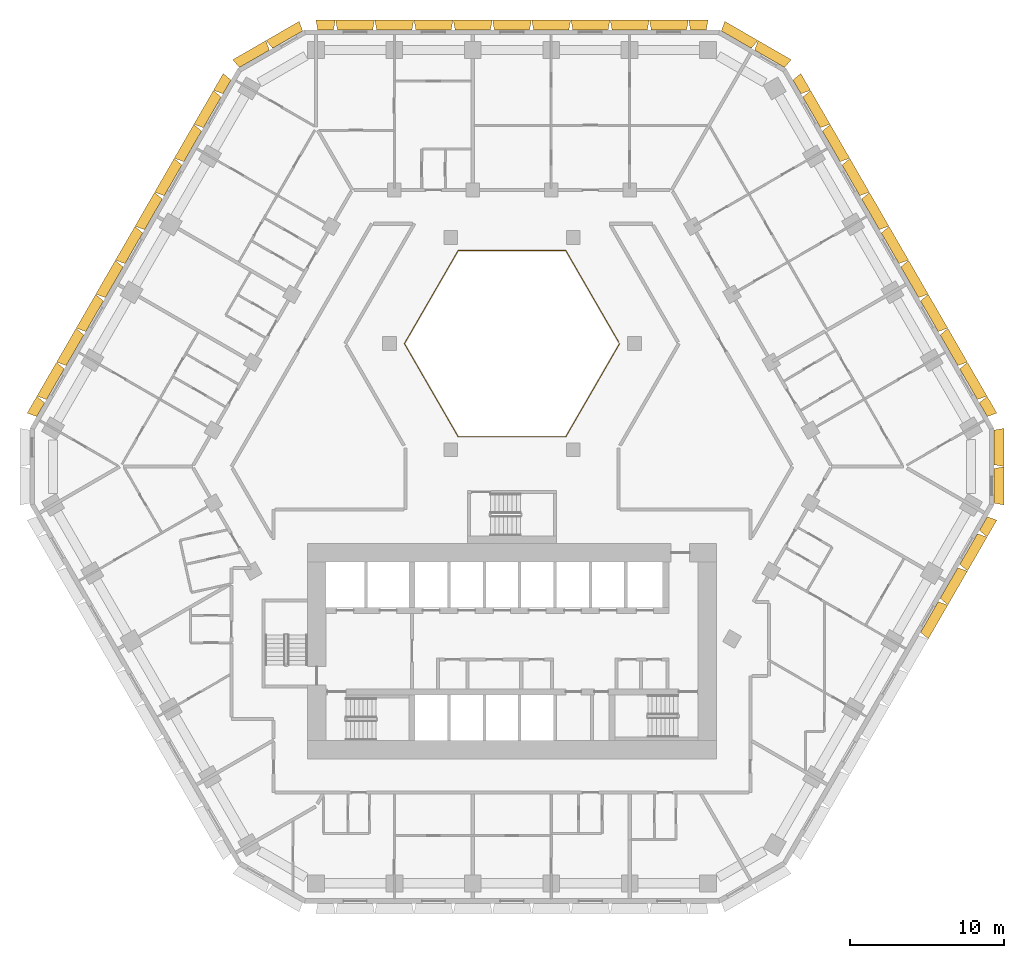
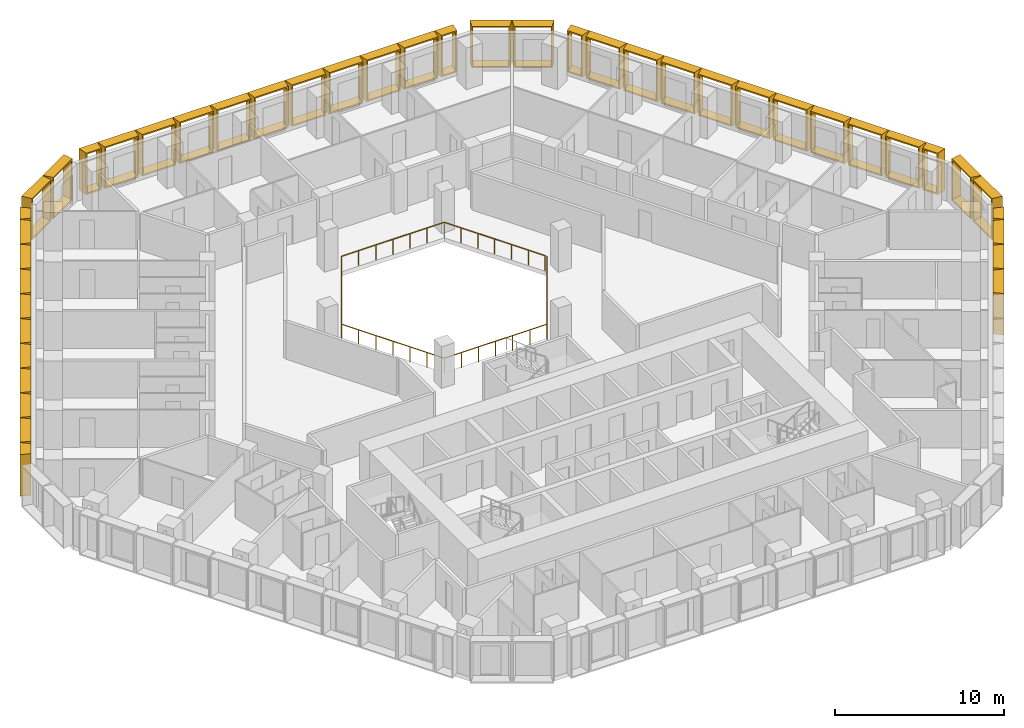
# One storey, part 16 of 16: 43 shading devices, 1 railing.
"""IFC4 building model written with IfcOpenShell, lengths in metres."""

from ifc_helpers import new_model, entity, si_unit, direction, frame, origin, origin_2d, place, context, subcontext, project, spatial, rectangle, extrude, source, transform, mapped, material, type_object, type_shapes, element, save


model = new_model("IFC4")

# Units and contexts
model_context = context("Model", 3, precision=1e-05, world=origin(), true_north=direction((0.0, 1.0)))
body_context = subcontext(model_context, "Body", "Model", "MODEL_VIEW")
ifc_project = project(units=[si_unit("LENGTHUNIT", "METRE"), si_unit("AREAUNIT", "SQUARE_METRE"), si_unit("VOLUMEUNIT", "CUBIC_METRE"), si_unit("PLANEANGLEUNIT", "RADIAN"), si_unit("MASSUNIT", "GRAM", prefix="KILO")], contexts=[model_context])

# Site, building, storey
site_placement = place(None, origin())
site = spatial("IfcSite", under=ifc_project, at=site_placement, CompositionType="ELEMENT")
building_placement = place(site_placement, origin())
building = spatial("IfcBuilding", under=site, at=building_placement, Name="Beryl Residences", CompositionType="ELEMENT")
storey_placement = place(building_placement, frame((0.0, 0.0, 56.39990234375)))
storey = spatial("IfcBuildingStorey", under=building, at=storey_placement, Name="L17", CompositionType="ELEMENT", Elevation=56.39990234375)

# Railing
ifc_material_1 = material(Name="Stainless steel balustrade with glass infill", Category="steel")
railing_type = type_object("IfcRailingType", Name="EG1 edge guard 1100 mm", PredefinedType="GUARDRAIL", material=ifc_material_1)
railing_placement = place(storey_placement, frame((6.9970703125, 8.0, 0.0)))
element("IfcRailing", 1, at=railing_placement, inside=storey, type_object=railing_type, Name="L17 atrium guard", PredefinedType="GUARDRAIL", context=body_context, shape_type="SweptSolid", body=[
    extrude(rectangle(XDim=0.048095703125, YDim=0.048095703125, at=origin_2d()), frame((0.0, 0.0, 1.076171875), z_axis=(-0.499921796684, -0.866070549782, 0.0), x_axis=(0.866070549782, -0.499921796684, 0.0)), (0.0, 0.0, 1.0), 6.9970703125),
    extrude(rectangle(XDim=0.048095703125, YDim=0.048095703125, at=origin_2d()), frame((-3.498046875, -6.06005859375, 1.076171875), z_axis=(-1.0, 0.0, 0.0), x_axis=(0.0, -1.0, 0.0)), (0.0, 0.0, 1.0), 6.998046875),
    extrude(rectangle(XDim=0.048095703125, YDim=0.048095703125, at=origin_2d()), frame((-10.49609375, -6.06005859375, 1.076171875), z_axis=(-0.499921796684, 0.866070549782, 0.0), x_axis=(-0.866070549782, -0.499921796684, 0.0)), (0.0, 0.0, 1.0), 6.9970703125),
    extrude(rectangle(XDim=0.048095703125, YDim=0.048095703125, at=origin_2d()), frame((-13.994140625, 0.0, 1.076171875), z_axis=(0.499921796684, 0.866070549782, 0.0), x_axis=(-0.866070549782, 0.499921796684, 0.0)), (0.0, 0.0, 1.0), 6.9970703125),
    extrude(rectangle(XDim=0.048095703125, YDim=0.048095703125, at=origin_2d()), frame((-10.49609375, 6.06005859375, 1.076171875), z_axis=(1.0, 0.0, 0.0), x_axis=(0.0, 1.0, 0.0)), (0.0, 0.0, 1.0), 6.998046875),
    extrude(rectangle(XDim=0.048095703125, YDim=0.048095703125, at=origin_2d()), frame((-3.498046875, 6.06005859375, 1.076171875), z_axis=(0.499919131929, -0.866072087953, 0.0), x_axis=(0.866072087953, 0.499919131929, 0.0)), (0.0, 0.0, 1.0), 6.877197265625),
    extrude(rectangle(XDim=0.0419921875, YDim=0.0419921875, at=origin_2d()), origin(), (0.0, 0.0, 1.0), 1.052001953125),
    extrude(rectangle(XDim=0.0419921875, YDim=0.0419921875, at=origin_2d()), frame((-0.5830078125, -1.010009765625, 0.0)), (0.0, 0.0, 1.0), 1.052001953125),
    extrude(rectangle(XDim=0.0419921875, YDim=0.0419921875, at=origin_2d()), frame((-1.166015625, -2.02001953125, 0.0)), (0.0, 0.0, 1.0), 1.052001953125),
    extrude(rectangle(XDim=0.0419921875, YDim=0.0419921875, at=origin_2d()), frame((-1.7490234375, -3.030029296875, 0.0)), (0.0, 0.0, 1.0), 1.052001953125),
    extrude(rectangle(XDim=0.0419921875, YDim=0.0419921875, at=origin_2d()), frame((-2.33203125, -4.0400390625, 0.0)), (0.0, 0.0, 1.0), 1.052001953125),
    extrude(rectangle(XDim=0.0419921875, YDim=0.0419921875, at=origin_2d()), frame((-2.9150390625, -5.050048828125, 0.0)), (0.0, 0.0, 1.0), 1.052001953125),
    extrude(rectangle(XDim=0.0419921875, YDim=0.0419921875, at=origin_2d()), frame((-3.498046875, -6.06005859375, 0.0)), (0.0, 0.0, 1.0), 1.052001953125),
    extrude(rectangle(XDim=0.0419921875, YDim=0.0419921875, at=origin_2d()), frame((-4.664306640625, -6.06005859375, 0.0)), (0.0, 0.0, 1.0), 1.052001953125),
    extrude(rectangle(XDim=0.0419921875, YDim=0.0419921875, at=origin_2d()), frame((-5.830810546875, -6.06005859375, 0.0)), (0.0, 0.0, 1.0), 1.052001953125),
    extrude(rectangle(XDim=0.0419921875, YDim=0.0419921875, at=origin_2d()), frame((-6.9970703125, -6.06005859375, 0.0)), (0.0, 0.0, 1.0), 1.052001953125),
    extrude(rectangle(XDim=0.0419921875, YDim=0.0419921875, at=origin_2d()), frame((-8.163330078125, -6.06005859375, 0.0)), (0.0, 0.0, 1.0), 1.052001953125),
    extrude(rectangle(XDim=0.0419921875, YDim=0.0419921875, at=origin_2d()), frame((-9.329833984375, -6.06005859375, 0.0)), (0.0, 0.0, 1.0), 1.052001953125),
    extrude(rectangle(XDim=0.0419921875, YDim=0.0419921875, at=origin_2d()), frame((-10.49609375, -6.06005859375, 0.0)), (0.0, 0.0, 1.0), 1.052001953125),
    extrude(rectangle(XDim=0.0419921875, YDim=0.0419921875, at=origin_2d()), frame((-11.0791015625, -5.050048828125, 0.0)), (0.0, 0.0, 1.0), 1.052001953125),
    extrude(rectangle(XDim=0.0419921875, YDim=0.0419921875, at=origin_2d()), frame((-11.662109375, -4.0400390625, 0.0)), (0.0, 0.0, 1.0), 1.052001953125),
    extrude(rectangle(XDim=0.0419921875, YDim=0.0419921875, at=origin_2d()), frame((-12.2451171875, -3.030029296875, 0.0)), (0.0, 0.0, 1.0), 1.052001953125),
    extrude(rectangle(XDim=0.0419921875, YDim=0.0419921875, at=origin_2d()), frame((-12.828125, -2.02001953125, 0.0)), (0.0, 0.0, 1.0), 1.052001953125),
    extrude(rectangle(XDim=0.0419921875, YDim=0.0419921875, at=origin_2d()), frame((-13.4111328125, -1.010009765625, 0.0)), (0.0, 0.0, 1.0), 1.052001953125),
    extrude(rectangle(XDim=0.0419921875, YDim=0.0419921875, at=origin_2d()), frame((-13.994140625, 0.0, 0.0)), (0.0, 0.0, 1.0), 1.052001953125),
    extrude(rectangle(XDim=0.0419921875, YDim=0.0419921875, at=origin_2d()), frame((-13.4111328125, 1.010009765625, 0.0)), (0.0, 0.0, 1.0), 1.052001953125),
    extrude(rectangle(XDim=0.0419921875, YDim=0.0419921875, at=origin_2d()), frame((-12.828125, 2.02001953125, 0.0)), (0.0, 0.0, 1.0), 1.052001953125),
    extrude(rectangle(XDim=0.0419921875, YDim=0.0419921875, at=origin_2d()), frame((-12.2451171875, 3.030029296875, 0.0)), (0.0, 0.0, 1.0), 1.052001953125),
    extrude(rectangle(XDim=0.0419921875, YDim=0.0419921875, at=origin_2d()), frame((-11.662109375, 4.0400390625, 0.0)), (0.0, 0.0, 1.0), 1.052001953125),
    extrude(rectangle(XDim=0.0419921875, YDim=0.0419921875, at=origin_2d()), frame((-11.0791015625, 5.050048828125, 0.0)), (0.0, 0.0, 1.0), 1.052001953125),
    extrude(rectangle(XDim=0.0419921875, YDim=0.0419921875, at=origin_2d()), frame((-10.49609375, 6.06005859375, 0.0)), (0.0, 0.0, 1.0), 1.052001953125),
    extrude(rectangle(XDim=0.0419921875, YDim=0.0419921875, at=origin_2d()), frame((-9.329833984375, 6.06005859375, 0.0)), (0.0, 0.0, 1.0), 1.052001953125),
    extrude(rectangle(XDim=0.0419921875, YDim=0.0419921875, at=origin_2d()), frame((-8.163330078125, 6.06005859375, 0.0)), (0.0, 0.0, 1.0), 1.052001953125),
    extrude(rectangle(XDim=0.0419921875, YDim=0.0419921875, at=origin_2d()), frame((-6.9970703125, 6.06005859375, 0.0)), (0.0, 0.0, 1.0), 1.052001953125),
    extrude(rectangle(XDim=0.0419921875, YDim=0.0419921875, at=origin_2d()), frame((-5.830810546875, 6.06005859375, 0.0)), (0.0, 0.0, 1.0), 1.052001953125),
    extrude(rectangle(XDim=0.0419921875, YDim=0.0419921875, at=origin_2d()), frame((-4.664306640625, 6.06005859375, 0.0)), (0.0, 0.0, 1.0), 1.052001953125),
    extrude(rectangle(XDim=0.0419921875, YDim=0.0419921875, at=origin_2d()), frame((-3.498046875, 6.06005859375, 0.0)), (0.0, 0.0, 1.0), 1.052001953125),
    extrude(rectangle(XDim=0.0419921875, YDim=0.0419921875, at=origin_2d()), frame((-2.925048828125, 5.0673828125, 0.0)), (0.0, 0.0, 1.0), 1.052001953125),
    extrude(rectangle(XDim=0.0419921875, YDim=0.0419921875, at=origin_2d()), frame((-2.35205078125, 4.07470703125, 0.0)), (0.0, 0.0, 1.0), 1.052001953125),
    extrude(rectangle(XDim=0.0419921875, YDim=0.0419921875, at=origin_2d()), frame((-1.779052734375, 3.08203125, 0.0)), (0.0, 0.0, 1.0), 1.052001953125),
    extrude(rectangle(XDim=0.0419921875, YDim=0.0419921875, at=origin_2d()), frame((-1.2060546875, 2.08935546875, 0.0)), (0.0, 0.0, 1.0), 1.052001953125),
    extrude(rectangle(XDim=0.0419921875, YDim=0.0419921875, at=origin_2d()), frame((-0.633056640625, 1.0966796875, 0.0)), (0.0, 0.0, 1.0), 1.052001953125),
    extrude(rectangle(XDim=0.0419921875, YDim=0.0419921875, at=origin_2d()), frame((-0.06005859375, 0.10400390625, 0.0)), (0.0, 0.0, 1.0), 1.052001953125),
])

# Shading devices
ifc_material_2 = material(Name="Aluminium pale anodised", Category="aluminium")
shading_device_type_1 = type_object("IfcShadingDeviceType", Name="FR128-65A OUTER SKIN frame 650 mm deep, splay 10/10 deg, 1280 x 3000 mm cell", PredefinedType="USERDEFINED", material=ifc_material_2)
cartesian_point_1 = entity("IfcCartesianPoint", [-0.514892578125, 0.0])
cartesian_point_2 = entity("IfcCartesianPoint", [-0.433837890625, 0.10009765625])
cartesian_point_3 = entity("IfcCartesianPoint", [-0.629638671875, 0.0])
cartesian_point_4 = entity("IfcCartesianPoint", [-0.54833984375, 0.10009765625])
shared_shape_1 = source(origin(), body_context, "Body", "SweptSolid", [
    entity("IfcExtrudedAreaSolidTapered", entity("IfcArbitraryProfileDefWithVoids", "AREA", None, entity("IfcPolyline", [cartesian_point_1, entity("IfcCartesianPoint", [0.514892578125, 0.0]), entity("IfcCartesianPoint", [0.514892578125, 3.0]), entity("IfcCartesianPoint", [-0.514892578125, 3.0]), cartesian_point_1]), [entity("IfcPolyline", [cartesian_point_2, entity("IfcCartesianPoint", [0.433837890625, 0.10009765625]), entity("IfcCartesianPoint", [0.433837890625, 2.89990234375]), entity("IfcCartesianPoint", [-0.433837890625, 2.89990234375]), cartesian_point_2])]), entity("IfcAxis2Placement3D", entity("IfcCartesianPoint", [0.0, 0.0, 0.0]), entity("IfcDirection", [0.0, 1.0, 0.0]), entity("IfcDirection", [-1.0, 0.0, 0.0])), entity("IfcDirection", [0.0, 0.0, 1.0]), 0.64990234375, entity("IfcArbitraryProfileDefWithVoids", "AREA", None, entity("IfcPolyline", [cartesian_point_3, entity("IfcCartesianPoint", [0.629638671875, 0.0]), entity("IfcCartesianPoint", [0.629638671875, 3.0]), entity("IfcCartesianPoint", [-0.629638671875, 3.0]), cartesian_point_3]), [entity("IfcPolyline", [cartesian_point_4, entity("IfcCartesianPoint", [0.54833984375, 0.10009765625]), entity("IfcCartesianPoint", [0.54833984375, 2.89990234375]), entity("IfcCartesianPoint", [-0.54833984375, 2.89990234375]), cartesian_point_4])])),
])
type_shapes(shading_device_type_1, [shared_shape_1])
for number, where, z_axis, x_axis, name in (
    (2, (12.12109375, 28.39990234375, 0.0), (0.0, 0.0, 1.0), (1.0, 0.0, 0.0), "FR128-65A frame L17 N 1"),
    (3, (-12.123046875, 28.39990234375, 0.0), (0.0, 0.0, 1.0), (1.0, 0.0, 0.0), "FR128-65A frame L17 N 11"),
    (4, (-18.534912109375, 24.697021484375, 0.0), (0.0, 0.0, 1.0), (0.5, 0.866025403784, 0.0), "FR128-65A frame L17 NW 1"),
    (5, (-30.656005859375, 3.700927734375, 0.0), (0.0, 0.0, 1.0), (0.5, 0.866025403784, 0.0), "FR128-65A frame L17 NW 11"),
    (6, (30.656005859375, -3.700927734375, 0.0), (0.0, 0.0, 1.0), (-0.5, -0.866025403784, 0.0), "FR128-65A frame L17 SE 11"),
    (7, (30.655029296875, 3.702880859375, 0.0), (0.0, 0.0, 1.0), (0.5, -0.866025403784, 0.0), "FR128-65A frame L17 NE 1"),
    (8, (18.533935546875, 24.698974609375, 0.0), (0.0, 0.0, 1.0), (0.5, -0.866025403784, 0.0), "FR128-65A frame L17 NE 11"),
):
    element("IfcShadingDevice", number, at=place(storey_placement, frame(where, z_axis=z_axis, x_axis=x_axis)), inside=storey, type_object=shading_device_type_1, Name=name, ObjectType="OUTER SKIN", PredefinedType="USERDEFINED", context=body_context, shape_type="MappedRepresentation", body=[
        mapped(shared_shape_1, transform((0.0, 0.0, 0.0))),
    ])
ifc_material_3 = material(Name="Aluminium pale anodised", Category="aluminium")
shading_device_type_2 = type_object("IfcShadingDeviceType", Name="FR250-65A OUTER SKIN frame 650 mm deep, splay 10/10 deg, 2500 x 3000 mm cell", PredefinedType="USERDEFINED", material=ifc_material_3)
cartesian_point_5 = entity("IfcCartesianPoint", [-1.125, 0.0])
cartesian_point_6 = entity("IfcCartesianPoint", [-1.043701171875, 0.10009765625])
cartesian_point_7 = entity("IfcCartesianPoint", [-1.239501953125, 0.0])
cartesian_point_8 = entity("IfcCartesianPoint", [-1.158447265625, 0.10009765625])
shared_shape_2 = source(origin(), body_context, "Body", "SweptSolid", [
    entity("IfcExtrudedAreaSolidTapered", entity("IfcArbitraryProfileDefWithVoids", "AREA", None, entity("IfcPolyline", [cartesian_point_5, entity("IfcCartesianPoint", [1.125, 0.0]), entity("IfcCartesianPoint", [1.125, 3.0]), entity("IfcCartesianPoint", [-1.125, 3.0]), cartesian_point_5]), [entity("IfcPolyline", [cartesian_point_6, entity("IfcCartesianPoint", [1.043701171875, 0.10009765625]), entity("IfcCartesianPoint", [1.043701171875, 2.89990234375]), entity("IfcCartesianPoint", [-1.043701171875, 2.89990234375]), cartesian_point_6])]), entity("IfcAxis2Placement3D", entity("IfcCartesianPoint", [0.0, 0.0, 0.0]), entity("IfcDirection", [0.0, 1.0, 0.0]), entity("IfcDirection", [-1.0, 0.0, 0.0])), entity("IfcDirection", [0.0, 0.0, 1.0]), 0.64990234375, entity("IfcArbitraryProfileDefWithVoids", "AREA", None, entity("IfcPolyline", [cartesian_point_7, entity("IfcCartesianPoint", [1.239501953125, 0.0]), entity("IfcCartesianPoint", [1.239501953125, 3.0]), entity("IfcCartesianPoint", [-1.239501953125, 3.0]), cartesian_point_7]), [entity("IfcPolyline", [cartesian_point_8, entity("IfcCartesianPoint", [1.158447265625, 0.10009765625]), entity("IfcCartesianPoint", [1.158447265625, 2.89990234375]), entity("IfcCartesianPoint", [-1.158447265625, 2.89990234375]), cartesian_point_8])])),
])
type_shapes(shading_device_type_2, [shared_shape_2])
for number, where, z_axis, x_axis, name in (
    (9, (-14.593017578125, 27.77490234375, 0.0), (0.0, 0.0, 1.0), (0.866025403784, 0.5, 0.0), "FR250-65A frame L17 N-NW 1"),
    (10, (-16.758056640625, 26.52490234375, 0.0), (0.0, 0.0, 1.0), (0.866025403784, 0.5, 0.0), "FR250-65A frame L17 N-NW 2"),
    (11, (31.35009765625, -1.25, 0.0), (0.0, 0.0, 1.0), (0.0, -1.0, 0.0), "FR250-65A frame L17 SE-NE 1"),
    (12, (31.35009765625, 1.25, 0.0), (0.0, 0.0, 1.0), (0.0, -1.0, 0.0), "FR250-65A frame L17 SE-NE 2"),
    (13, (16.758056640625, 26.52490234375, 0.0), (0.0, 0.0, 1.0), (0.866025403784, -0.5, 0.0), "FR250-65A frame L17 NE-N 1"),
    (14, (14.593017578125, 27.77490234375, 0.0), (0.0, 0.0, 1.0), (0.866025403784, -0.5, 0.0), "FR250-65A frame L17 NE-N 2"),
):
    element("IfcShadingDevice", number, at=place(storey_placement, frame(where, z_axis=z_axis, x_axis=x_axis)), inside=storey, type_object=shading_device_type_2, Name=name, ObjectType="OUTER SKIN", PredefinedType="USERDEFINED", context=body_context, shape_type="MappedRepresentation", body=[
        mapped(shared_shape_2, transform((0.0, 0.0, 0.0))),
    ])
ifc_material_4 = material(Name="Aluminium pale anodised", Category="aluminium")
shading_device_type_3 = type_object("IfcShadingDeviceType", Name="FR255-65A OUTER SKIN frame 650 mm deep, splay 10/10 deg, 2550 x 3000 mm cell", PredefinedType="USERDEFINED", material=ifc_material_4)
cartesian_point_9 = entity("IfcCartesianPoint", [-1.14990234375, 0.0])
cartesian_point_10 = entity("IfcCartesianPoint", [-1.06884765625, 0.10009765625])
cartesian_point_11 = entity("IfcCartesianPoint", [-1.2646484375, 0.0])
cartesian_point_12 = entity("IfcCartesianPoint", [-1.183349609375, 0.10009765625])
shared_shape_3 = source(origin(), body_context, "Body", "SweptSolid", [
    entity("IfcExtrudedAreaSolidTapered", entity("IfcArbitraryProfileDefWithVoids", "AREA", None, entity("IfcPolyline", [cartesian_point_9, entity("IfcCartesianPoint", [1.14990234375, 0.0]), entity("IfcCartesianPoint", [1.14990234375, 3.0]), entity("IfcCartesianPoint", [-1.14990234375, 3.0]), cartesian_point_9]), [entity("IfcPolyline", [cartesian_point_10, entity("IfcCartesianPoint", [1.06884765625, 0.10009765625]), entity("IfcCartesianPoint", [1.06884765625, 2.89990234375]), entity("IfcCartesianPoint", [-1.06884765625, 2.89990234375]), cartesian_point_10])]), entity("IfcAxis2Placement3D", entity("IfcCartesianPoint", [0.0, 0.0, 0.0]), entity("IfcDirection", [0.0, 1.0, 0.0]), entity("IfcDirection", [-1.0, 0.0, 0.0])), entity("IfcDirection", [0.0, 0.0, 1.0]), 0.64990234375, entity("IfcArbitraryProfileDefWithVoids", "AREA", None, entity("IfcPolyline", [cartesian_point_11, entity("IfcCartesianPoint", [1.2646484375, 0.0]), entity("IfcCartesianPoint", [1.2646484375, 3.0]), entity("IfcCartesianPoint", [-1.2646484375, 3.0]), cartesian_point_11]), [entity("IfcPolyline", [cartesian_point_12, entity("IfcCartesianPoint", [1.183349609375, 0.10009765625]), entity("IfcCartesianPoint", [1.183349609375, 2.89990234375]), entity("IfcCartesianPoint", [-1.183349609375, 2.89990234375]), cartesian_point_12])])),
])
type_shapes(shading_device_type_3, [shared_shape_3])
for number, where, z_axis, x_axis, name in (
    (15, (10.20703125, 28.39990234375, 0.0), (0.0, 0.0, 1.0), (1.0, 0.0, 0.0), "FR255-65A frame L17 N 2"),
    (16, (7.655029296875, 28.39990234375, 0.0), (0.0, 0.0, 1.0), (1.0, 0.0, 0.0), "FR255-65A frame L17 N 3"),
    (17, (5.10302734375, 28.39990234375, 0.0), (0.0, 0.0, 1.0), (1.0, 0.0, 0.0), "FR255-65A frame L17 N 4"),
    (18, (2.551025390625, 28.39990234375, 0.0), (0.0, 0.0, 1.0), (1.0, 0.0, 0.0), "FR255-65A frame L17 N 5"),
    (19, (-0.0009765625, 28.39990234375, 0.0), (0.0, 0.0, 1.0), (1.0, 0.0, 0.0), "FR255-65A frame L17 N 6"),
    (20, (-2.552978515625, 28.39990234375, 0.0), (0.0, 0.0, 1.0), (1.0, 0.0, 0.0), "FR255-65A frame L17 N 7"),
    (21, (-5.10498046875, 28.39990234375, 0.0), (0.0, 0.0, 1.0), (1.0, 0.0, 0.0), "FR255-65A frame L17 N 8"),
    (22, (-7.656982421875, 28.39990234375, 0.0), (0.0, 0.0, 1.0), (1.0, 0.0, 0.0), "FR255-65A frame L17 N 9"),
    (23, (-10.208984375, 28.39990234375, 0.0), (0.0, 0.0, 1.0), (1.0, 0.0, 0.0), "FR255-65A frame L17 N 10"),
    (24, (-19.491943359375, 23.0400390625, 0.0), (0.0, 0.0, 1.0), (0.5, 0.866025403784, 0.0), "FR255-65A frame L17 NW 2"),
    (25, (-20.76806640625, 20.830078125, 0.0), (0.0, 0.0, 1.0), (0.5, 0.866025403784, 0.0), "FR255-65A frame L17 NW 3"),
    (26, (-22.0439453125, 18.618896484375, 0.0), (0.0, 0.0, 1.0), (0.5, 0.866025403784, 0.0), "FR255-65A frame L17 NW 4"),
    (27, (-23.320068359375, 16.408935546875, 0.0), (0.0, 0.0, 1.0), (0.5, 0.866025403784, 0.0), "FR255-65A frame L17 NW 5"),
    (28, (-24.594970703125, 14.198974609375, 0.0), (0.0, 0.0, 1.0), (0.5, 0.866025403784, 0.0), "FR255-65A frame L17 NW 6"),
    (29, (-25.87109375, 11.989013671875, 0.0), (0.0, 0.0, 1.0), (0.5, 0.866025403784, 0.0), "FR255-65A frame L17 NW 7"),
    (30, (-27.14697265625, 9.779052734375, 0.0), (0.0, 0.0, 1.0), (0.5, 0.866025403784, 0.0), "FR255-65A frame L17 NW 8"),
    (31, (-28.423095703125, 7.569091796875, 0.0), (0.0, 0.0, 1.0), (0.5, 0.866025403784, 0.0), "FR255-65A frame L17 NW 9"),
    (32, (-29.698974609375, 5.35888671875, 0.0), (0.0, 0.0, 1.0), (0.5, 0.866025403784, 0.0), "FR255-65A frame L17 NW 10"),
    (33, (27.14697265625, -9.779052734375, 0.0), (0.0, 0.0, 1.0), (-0.5, -0.866025403784, 0.0), "FR255-65A frame L17 SE 8"),
    (34, (28.423095703125, -7.569091796875, 0.0), (0.0, 0.0, 1.0), (-0.5, -0.866025403784, 0.0), "FR255-65A frame L17 SE 9"),
    (35, (29.698974609375, -5.35888671875, 0.0), (0.0, 0.0, 1.0), (-0.5, -0.866025403784, 0.0), "FR255-65A frame L17 SE 10"),
    (36, (29.697998046875, 5.360107421875, 0.0), (0.0, 0.0, 1.0), (0.5, -0.866025403784, 0.0), "FR255-65A frame L17 NE 2"),
    (37, (28.422119140625, 7.570068359375, 0.0), (0.0, 0.0, 1.0), (0.5, -0.866025403784, 0.0), "FR255-65A frame L17 NE 3"),
    (38, (27.14599609375, 9.781005859375, 0.0), (0.0, 0.0, 1.0), (0.5, -0.866025403784, 0.0), "FR255-65A frame L17 NE 4"),
    (39, (25.8701171875, 11.990966796875, 0.0), (0.0, 0.0, 1.0), (0.5, -0.866025403784, 0.0), "FR255-65A frame L17 NE 5"),
    (40, (24.594970703125, 14.200927734375, 0.0), (0.0, 0.0, 1.0), (0.5, -0.866025403784, 0.0), "FR255-65A frame L17 NE 6"),
    (41, (23.319091796875, 16.410888671875, 0.0), (0.0, 0.0, 1.0), (0.5, -0.866025403784, 0.0), "FR255-65A frame L17 NE 7"),
    (42, (22.04296875, 18.62109375, 0.0), (0.0, 0.0, 1.0), (0.5, -0.866025403784, 0.0), "FR255-65A frame L17 NE 8"),
    (43, (20.76708984375, 20.8310546875, 0.0), (0.0, 0.0, 1.0), (0.5, -0.866025403784, 0.0), "FR255-65A frame L17 NE 9"),
    (44, (19.490966796875, 23.041015625, 0.0), (0.0, 0.0, 1.0), (0.5, -0.866025403784, 0.0), "FR255-65A frame L17 NE 10"),
):
    element("IfcShadingDevice", number, at=place(storey_placement, frame(where, z_axis=z_axis, x_axis=x_axis)), inside=storey, type_object=shading_device_type_3, Name=name, ObjectType="OUTER SKIN", PredefinedType="USERDEFINED", context=body_context, shape_type="MappedRepresentation", body=[
        mapped(shared_shape_3, transform((0.0, 0.0, 0.0))),
    ])

save(model, "model.ifc")
